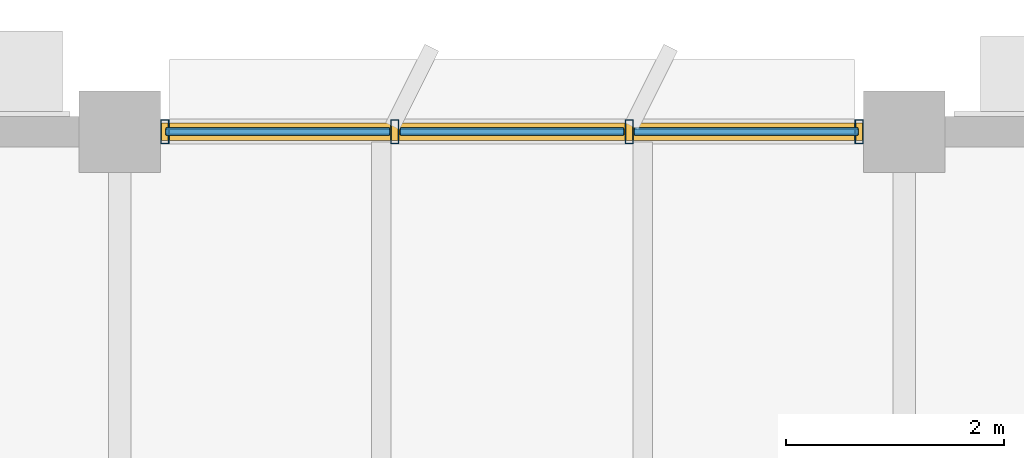
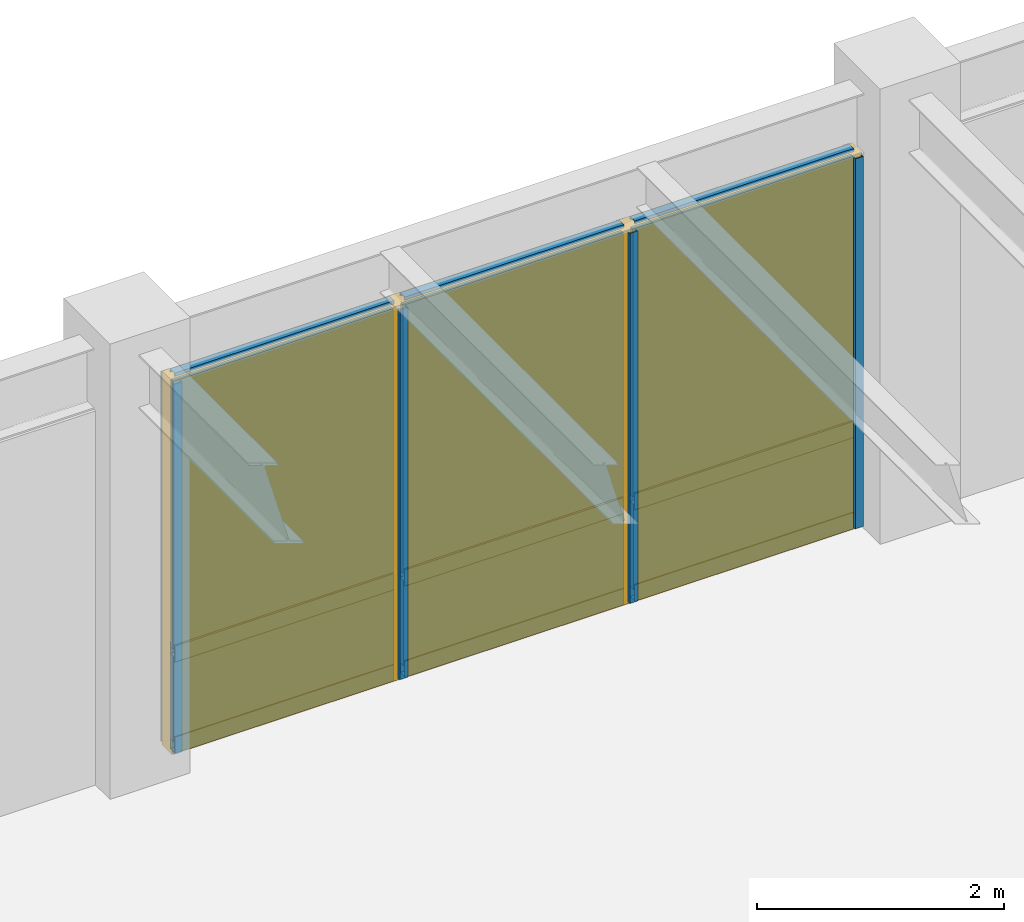
# One storey, part 60 of 92: 13 members, 6 plates, 1 curtain wall.
"""IFC4 building model written with IfcOpenShell, lengths in metres."""

from ifc_helpers import new_model, si_unit, direction, frame, origin, origin_2d, place, context, subcontext, project, spatial, rectangle, hollow_rectangle, extrude, material, layer, layer_set, material_profile, profile_set, type_object, element, aggregate, save


model = new_model("IFC4")

# Units and contexts
model_context = context("Model", 3, precision=1e-05, world=origin(), true_north=direction((0.0, 1.0)))
body_context = subcontext(model_context, "Body", "Model", "MODEL_VIEW")
ifc_project = project(units=[si_unit("LENGTHUNIT", "METRE"), si_unit("AREAUNIT", "SQUARE_METRE"), si_unit("VOLUMEUNIT", "CUBIC_METRE"), si_unit("PLANEANGLEUNIT", "RADIAN"), si_unit("MASSUNIT", "GRAM", prefix="KILO")], contexts=[model_context])

# Member
ifc_material_1 = material(Name="Anodized Aluminium 6063-T6", Category="aluminium")
ifc_material_profile_1 = material_profile(ifc_material_1, hollow_rectangle(XDim=0.074951171875, YDim=0.219970703125, WallThickness=0.0048828125, at=origin_2d()), Name="ALU 75x220x5")
ifc_profile_set_1 = profile_set([ifc_material_profile_1], Name="Anodized Aluminium 6063-T6")
member_type_1 = type_object("IfcMemberType", Name="CWM-75X180", PredefinedType="MULLION", material=ifc_profile_set_1)
site_placement = place(None, origin())
building_placement = place(site_placement, origin())
storey_placement = place(building_placement, frame((0.0, 0.0, 5.39990234375)))
member_1_placement = place(storey_placement, frame((65.215087890625, 115.199951171875, 0.02001953125), z_axis=(0.0, 0.0, 1.0), x_axis=(1.0, 0.0, 0.0)))
member_1 = element("IfcMember", 1, at=member_1_placement, type_object=member_type_1, Name="Curtain wall mullion CW-L02-09-15-N-00", PredefinedType="MULLION", context=body_context, shape_type="SweptSolid", body=[
    extrude(hollow_rectangle(XDim=0.074951171875, YDim=0.219970703125, WallThickness=0.0048828125, at=origin_2d()), origin(), (0.0, 0.0, 1.0), 3.657958984375),
])

member_2_placement = place(storey_placement, frame((67.324951171875, 115.199951171875, 0.02001953125), z_axis=(0.0, 0.0, 1.0), x_axis=(1.0, 0.0, 0.0)))
member_2 = element("IfcMember", 2, at=member_2_placement, type_object=member_type_1, Name="Curtain wall mullion CW-L02-09-15-N-01", PredefinedType="MULLION", context=body_context, shape_type="SweptSolid", body=[
    extrude(hollow_rectangle(XDim=0.074951171875, YDim=0.219970703125, WallThickness=0.0048828125, at=origin_2d()), origin(), (0.0, 0.0, 1.0), 3.657958984375),
])

member_3_placement = place(storey_placement, frame((69.47509765625, 115.199951171875, 0.02001953125), z_axis=(0.0, 0.0, 1.0), x_axis=(1.0, 0.0, 0.0)))
member_3 = element("IfcMember", 3, at=member_3_placement, type_object=member_type_1, Name="Curtain wall mullion CW-L02-09-15-N-02", PredefinedType="MULLION", context=body_context, shape_type="SweptSolid", body=[
    extrude(hollow_rectangle(XDim=0.074951171875, YDim=0.219970703125, WallThickness=0.0048828125, at=origin_2d()), origin(), (0.0, 0.0, 1.0), 3.657958984375),
])

member_4_placement = place(storey_placement, frame((71.5849609375, 115.199951171875, 0.02001953125), z_axis=(0.0, 0.0, 1.0), x_axis=(1.0, 0.0, 0.0)))
member_4 = element("IfcMember", 4, at=member_4_placement, type_object=member_type_1, Name="Curtain wall mullion CW-L02-09-15-N-03", PredefinedType="MULLION", context=body_context, shape_type="SweptSolid", body=[
    extrude(hollow_rectangle(XDim=0.074951171875, YDim=0.219970703125, WallThickness=0.0048828125, at=origin_2d()), origin(), (0.0, 0.0, 1.0), 3.657958984375),
])

ifc_material_profile_2 = material_profile(ifc_material_1, hollow_rectangle(XDim=0.074951171875, YDim=0.159912109375, WallThickness=0.00390625, at=origin_2d()), Name="ALU 75x160x4")
ifc_profile_set_2 = profile_set([ifc_material_profile_2], Name="Anodized Aluminium 6063-T6")
member_type_2 = type_object("IfcMemberType", Name="CWT-75X150", PredefinedType="USERDEFINED", material=ifc_profile_set_2)
member_5_placement = place(storey_placement, frame((65.22509765625, 115.199951171875, 0.050048828125), z_axis=(1.0, 0.0, 0.0), x_axis=(0.0, 1.0, 0.0)))
member_5 = element("IfcMember", 5, at=member_5_placement, type_object=member_type_2, Name="Curtain wall transom CW-L02-09-15-N-1.01", ObjectType="TRANSOM", PredefinedType="USERDEFINED", context=body_context, shape_type="SweptSolid", body=[
    extrude(hollow_rectangle(XDim=0.074951171875, YDim=0.159912109375, WallThickness=0.00390625, at=origin_2d()), origin(), (0.0, 0.0, 1.0), 2.0498046875),
])

member_6_placement = place(storey_placement, frame((67.375, 115.199951171875, 0.050048828125), z_axis=(1.0, 0.0, 0.0), x_axis=(0.0, 1.0, 0.0)))
member_6 = element("IfcMember", 6, at=member_6_placement, type_object=member_type_2, Name="Curtain wall transom CW-L02-09-15-N-1.02", ObjectType="TRANSOM", PredefinedType="USERDEFINED", context=body_context, shape_type="SweptSolid", body=[
    extrude(hollow_rectangle(XDim=0.074951171875, YDim=0.159912109375, WallThickness=0.00390625, at=origin_2d()), origin(), (0.0, 0.0, 1.0), 2.050048828125),
])

member_7_placement = place(storey_placement, frame((69.52490234375, 115.199951171875, 0.050048828125), z_axis=(1.0, 0.0, 0.0), x_axis=(0.0, 1.0, 0.0)))
member_7 = element("IfcMember", 7, at=member_7_placement, type_object=member_type_2, Name="Curtain wall transom CW-L02-09-15-N-1.03", ObjectType="TRANSOM", PredefinedType="USERDEFINED", context=body_context, shape_type="SweptSolid", body=[
    extrude(hollow_rectangle(XDim=0.074951171875, YDim=0.159912109375, WallThickness=0.00390625, at=origin_2d()), origin(), (0.0, 0.0, 1.0), 2.050048828125),
])

member_8_placement = place(storey_placement, frame((65.22509765625, 115.199951171875, 0.9501953125), z_axis=(1.0, 0.0, 0.0), x_axis=(0.0, 1.0, 0.0)))
member_8 = element("IfcMember", 8, at=member_8_placement, type_object=member_type_2, Name="Curtain wall transom CW-L02-09-15-N-2.01", ObjectType="TRANSOM", PredefinedType="USERDEFINED", context=body_context, shape_type="SweptSolid", body=[
    extrude(hollow_rectangle(XDim=0.074951171875, YDim=0.159912109375, WallThickness=0.00390625, at=origin_2d()), origin(), (0.0, 0.0, 1.0), 2.0498046875),
])

member_9_placement = place(storey_placement, frame((67.375, 115.199951171875, 0.9501953125), z_axis=(1.0, 0.0, 0.0), x_axis=(0.0, 1.0, 0.0)))
member_9 = element("IfcMember", 9, at=member_9_placement, type_object=member_type_2, Name="Curtain wall transom CW-L02-09-15-N-2.02", ObjectType="TRANSOM", PredefinedType="USERDEFINED", context=body_context, shape_type="SweptSolid", body=[
    extrude(hollow_rectangle(XDim=0.074951171875, YDim=0.159912109375, WallThickness=0.00390625, at=origin_2d()), origin(), (0.0, 0.0, 1.0), 2.050048828125),
])

member_10_placement = place(storey_placement, frame((69.52490234375, 115.199951171875, 0.9501953125), z_axis=(1.0, 0.0, 0.0), x_axis=(0.0, 1.0, 0.0)))
member_10 = element("IfcMember", 10, at=member_10_placement, type_object=member_type_2, Name="Curtain wall transom CW-L02-09-15-N-2.03", ObjectType="TRANSOM", PredefinedType="USERDEFINED", context=body_context, shape_type="SweptSolid", body=[
    extrude(hollow_rectangle(XDim=0.074951171875, YDim=0.159912109375, WallThickness=0.00390625, at=origin_2d()), origin(), (0.0, 0.0, 1.0), 2.050048828125),
])

member_11_placement = place(storey_placement, frame((65.22509765625, 115.199951171875, 3.648193359375), z_axis=(1.0, 0.0, 0.0), x_axis=(0.0, 1.0, 0.0)))
member_11 = element("IfcMember", 11, at=member_11_placement, type_object=member_type_2, Name="Curtain wall transom CW-L02-09-15-N-3.01", ObjectType="TRANSOM", PredefinedType="USERDEFINED", context=body_context, shape_type="SweptSolid", body=[
    extrude(hollow_rectangle(XDim=0.074951171875, YDim=0.159912109375, WallThickness=0.00390625, at=origin_2d()), origin(), (0.0, 0.0, 1.0), 2.0498046875),
])

member_12_placement = place(storey_placement, frame((67.375, 115.199951171875, 3.648193359375), z_axis=(1.0, 0.0, 0.0), x_axis=(0.0, 1.0, 0.0)))
member_12 = element("IfcMember", 12, at=member_12_placement, type_object=member_type_2, Name="Curtain wall transom CW-L02-09-15-N-3.02", ObjectType="TRANSOM", PredefinedType="USERDEFINED", context=body_context, shape_type="SweptSolid", body=[
    extrude(hollow_rectangle(XDim=0.074951171875, YDim=0.159912109375, WallThickness=0.00390625, at=origin_2d()), origin(), (0.0, 0.0, 1.0), 2.050048828125),
])

member_13_placement = place(storey_placement, frame((69.52490234375, 115.199951171875, 3.648193359375), z_axis=(1.0, 0.0, 0.0), x_axis=(0.0, 1.0, 0.0)))
member_13 = element("IfcMember", 13, at=member_13_placement, type_object=member_type_2, Name="Curtain wall transom CW-L02-09-15-N-3.03", ObjectType="TRANSOM", PredefinedType="USERDEFINED", context=body_context, shape_type="SweptSolid", body=[
    extrude(hollow_rectangle(XDim=0.074951171875, YDim=0.159912109375, WallThickness=0.00390625, at=origin_2d()), origin(), (0.0, 0.0, 1.0), 2.050048828125),
])

# Plate
ifc_material_2 = material(Name="Acoustic Laminated Low-E Glazing", Category="glass")
ifc_layer_1 = layer(ifc_material_2, 0.0439453125)
ifc_layer_set_1 = layer_set([ifc_layer_1], Name="Acoustic Laminated Low-E Glazing")
plate_type_1 = type_object("IfcPlateType", Name="CWP-IGU-44", PredefinedType="CURTAIN_PANEL", material=ifc_layer_set_1)
plate_1_placement = place(storey_placement, frame((66.25, 115.199951171875, 0.990234375), z_axis=(0.0, 0.0, 1.0), x_axis=(1.0, 0.0, 0.0)))
plate_1 = element("IfcPlate", 14, at=plate_1_placement, type_object=plate_type_1, Name="Curtain wall vision glazing CW-L02-09-15-N-01", PredefinedType="CURTAIN_PANEL", context=body_context, shape_type="SweptSolid", body=[
    extrude(rectangle(XDim=2.06005859375, YDim=0.0400390625, at=origin_2d()), origin(), (0.0, 0.0, 1.0), 2.64794921875),
])

plate_2_placement = place(storey_placement, frame((68.39990234375, 115.199951171875, 0.990234375), z_axis=(0.0, 0.0, 1.0), x_axis=(1.0, 0.0, 0.0)))
plate_2 = element("IfcPlate", 15, at=plate_2_placement, type_object=plate_type_1, Name="Curtain wall vision glazing CW-L02-09-15-N-02", PredefinedType="CURTAIN_PANEL", context=body_context, shape_type="SweptSolid", body=[
    extrude(rectangle(XDim=2.06005859375, YDim=0.0400390625, at=origin_2d()), origin(), (0.0, 0.0, 1.0), 2.64794921875),
])

plate_3_placement = place(storey_placement, frame((70.550048828125, 115.199951171875, 0.990234375), z_axis=(0.0, 0.0, 1.0), x_axis=(1.0, 0.0, 0.0)))
plate_3 = element("IfcPlate", 16, at=plate_3_placement, type_object=plate_type_1, Name="Curtain wall vision glazing CW-L02-09-15-N-03", PredefinedType="CURTAIN_PANEL", context=body_context, shape_type="SweptSolid", body=[
    extrude(rectangle(XDim=2.06005859375, YDim=0.0400390625, at=origin_2d()), origin(), (0.0, 0.0, 1.0), 2.64794921875),
])

ifc_material_3 = material(Name="Insulated Stone-Composite Spandrel", Category="masonry")
ifc_layer_2 = layer(ifc_material_3, 0.068115234375)
ifc_layer_set_2 = layer_set([ifc_layer_2], Name="Insulated Stone-Composite Spandrel")
plate_type_2 = type_object("IfcPlateType", Name="CWP-SPN-68", PredefinedType="CURTAIN_PANEL", material=ifc_layer_set_2)
plate_4_placement = place(storey_placement, frame((66.25, 115.199951171875, 0.080078125), z_axis=(0.0, 0.0, 1.0), x_axis=(1.0, 0.0, 0.0)))
plate_4 = element("IfcPlate", 17, at=plate_4_placement, type_object=plate_type_2, Name="Curtain wall spandrel panel CW-L02-09-15-N-01", PredefinedType="CURTAIN_PANEL", context=body_context, shape_type="SweptSolid", body=[
    extrude(rectangle(XDim=2.06005859375, YDim=0.06005859375, at=origin_2d()), origin(), (0.0, 0.0, 1.0), 0.840087890625),
])

plate_5_placement = place(storey_placement, frame((68.39990234375, 115.199951171875, 0.080078125), z_axis=(0.0, 0.0, 1.0), x_axis=(1.0, 0.0, 0.0)))
plate_5 = element("IfcPlate", 18, at=plate_5_placement, type_object=plate_type_2, Name="Curtain wall spandrel panel CW-L02-09-15-N-02", PredefinedType="CURTAIN_PANEL", context=body_context, shape_type="SweptSolid", body=[
    extrude(rectangle(XDim=2.06005859375, YDim=0.06005859375, at=origin_2d()), origin(), (0.0, 0.0, 1.0), 0.840087890625),
])

plate_6_placement = place(storey_placement, frame((70.550048828125, 115.199951171875, 0.080078125), z_axis=(0.0, 0.0, 1.0), x_axis=(1.0, 0.0, 0.0)))
plate_6 = element("IfcPlate", 19, at=plate_6_placement, type_object=plate_type_2, Name="Curtain wall spandrel panel CW-L02-09-15-N-03", PredefinedType="CURTAIN_PANEL", context=body_context, shape_type="SweptSolid", body=[
    extrude(rectangle(XDim=2.06005859375, YDim=0.06005859375, at=origin_2d()), origin(), (0.0, 0.0, 1.0), 0.840087890625),
])

# Site, building, storey
site = spatial("IfcSite", under=ifc_project, at=site_placement, CompositionType="ELEMENT")
building = spatial("IfcBuilding", under=site, at=building_placement, Name="Sillqori Civic Hall", CompositionType="ELEMENT")
storey = spatial("IfcBuildingStorey", under=building, at=storey_placement, Name="L02", CompositionType="ELEMENT", Elevation=5.39990234375)

# Curtain wall
ifc_material_4 = material(Name="Anodized Aluminium Curtain Wall System", Category="aluminium")
curtain_wall_type = type_object("IfcCurtainWallType", Name="CW-GL-430", PredefinedType="NOTDEFINED", material=ifc_material_4)
curtain_wall_placement = place(storey_placement, frame((68.39990234375, 115.199951171875, 0.0), z_axis=(0.0, 0.0, 1.0), x_axis=(1.0, 0.0, 0.0)))
curtain_wall = element("IfcCurtainWall", 20, at=curtain_wall_placement, inside=storey, type_object=curtain_wall_type, Name="L02 unitised curtain wall CW-L02-09-15-N", PredefinedType="NOTDEFINED", context=body_context, shape_type="SweptSolid", body=[
    extrude(rectangle(XDim=6.449951171875, YDim=0.159912109375, at=origin_2d()), origin(), (0.0, 0.0, 1.0), 3.697998046875),
])

aggregate(curtain_wall, [member_1, member_2, member_3, member_4, member_5, member_6, member_7, member_8, member_9, member_10, member_11, member_12, member_13, plate_4, plate_1, plate_5, plate_2, plate_6, plate_3])

save(model, "model.ifc")
